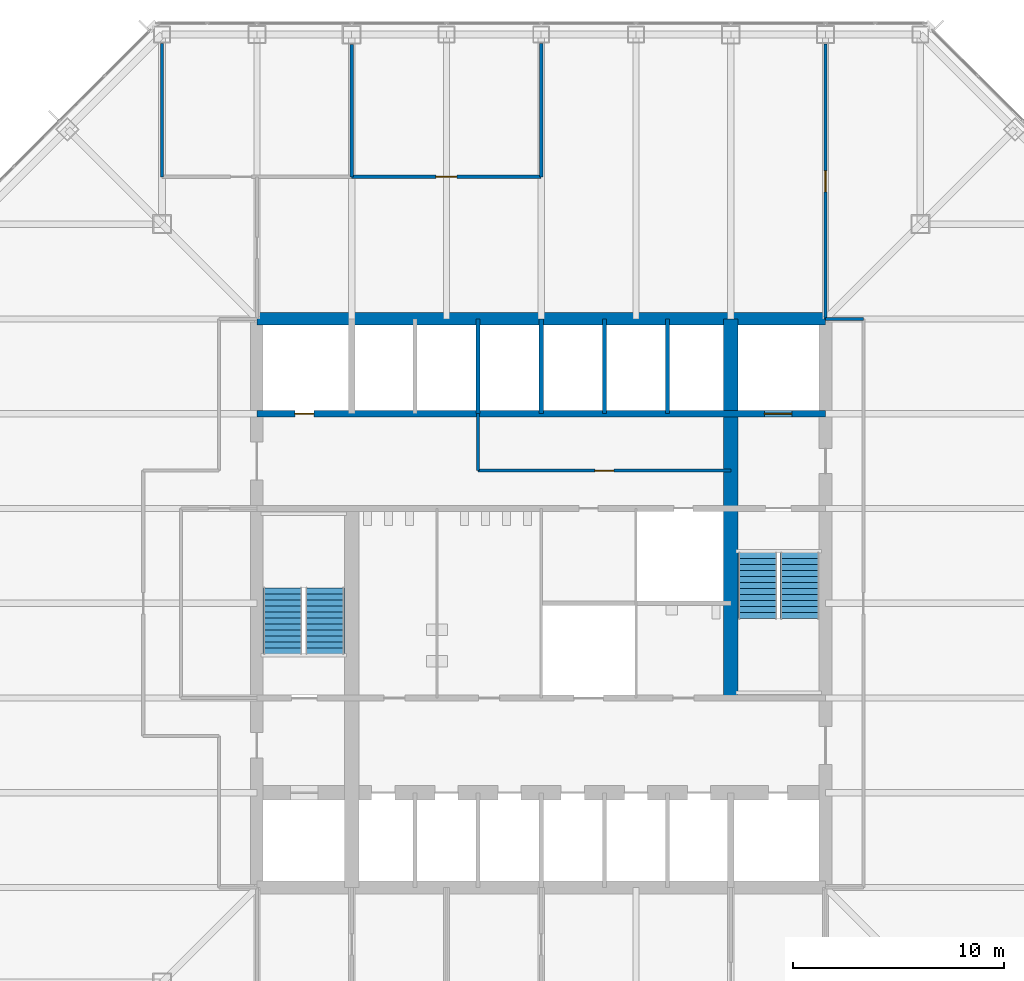
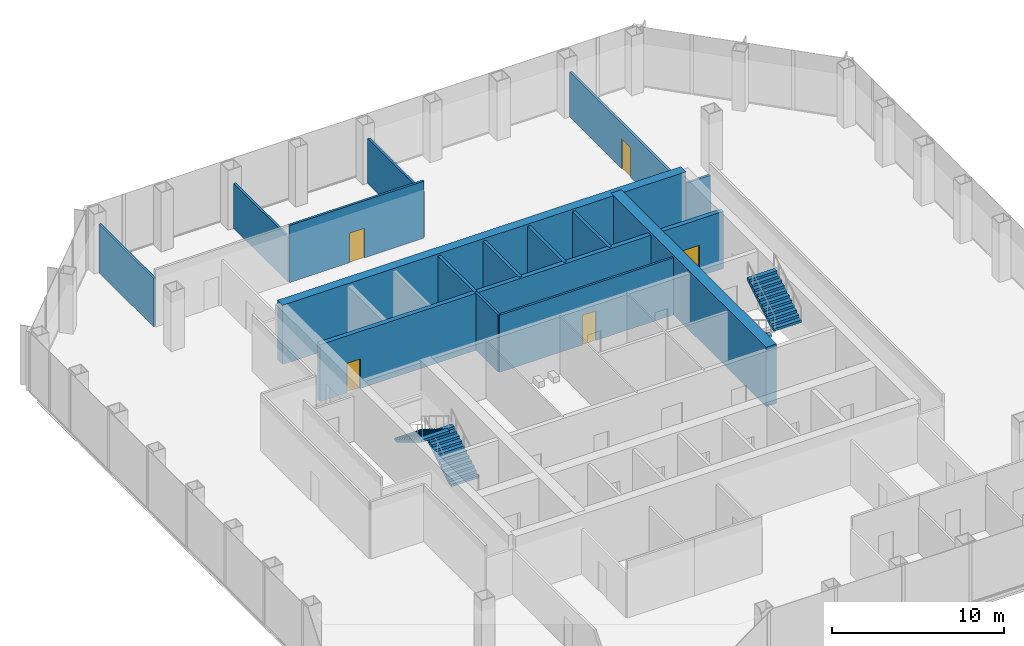
# One storey, part 10 of 12: 15 walls, 5 doors, 4 stair flights, 5 openings, 2 elements without a shape of their own.
"""IFC4 building model written with IfcOpenShell, lengths in metres."""

from ifc_helpers import new_model, si_unit, direction, frame, frame_2d, origin, place, context, subcontext, project, spatial, polyline, rectangle, outline, extrude, material, layer, layer_set, type_object, element, fill, aggregate, save


model = new_model("IFC4")

# Units and contexts
model_context = context("Model", 3, precision=1e-05, world=origin(), true_north=direction((0.0, 1.0)))
body_context = subcontext(model_context, "Body", "Model", "MODEL_VIEW")
ifc_project = project(units=[si_unit("LENGTHUNIT", "METRE"), si_unit("AREAUNIT", "SQUARE_METRE"), si_unit("VOLUMEUNIT", "CUBIC_METRE"), si_unit("PLANEANGLEUNIT", "RADIAN"), si_unit("MASSUNIT", "GRAM", prefix="KILO")], contexts=[model_context])

# Site, building, storey
site_placement = place(None, origin())
site = spatial("IfcSite", under=ifc_project, at=site_placement, CompositionType="ELEMENT")
building_placement = place(site_placement, origin())
building = spatial("IfcBuilding", under=site, at=building_placement, Name="Corais Broadcast Tower", CompositionType="ELEMENT")
storey_placement = place(building_placement, frame((0.0, 0.0, 50.0)))
storey = spatial("IfcBuildingStorey", under=building, at=storey_placement, Name="L10", CompositionType="ELEMENT", Elevation=50.0)

# Walls
ifc_material_1 = material(Name="Concrete C50/60", Category="concrete")
ifc_layer_1 = layer(ifc_material_1, 0.699951171875)
ifc_layer_set_1 = layer_set([ifc_layer_1], Name="Concrete C50/60")
wall_type_1 = type_object("IfcWallType", Name="Core spine wall 700", PredefinedType="SHEAR", material=ifc_layer_set_1)
wall_1_placement = place(storey_placement, frame((36.0, 22.5, 0.0), z_axis=(0.0, 0.0, 1.0), x_axis=(0.0, 1.0, 0.0)))
element("IfcWall", 1, at=wall_1_placement, inside=storey, type_object=wall_type_1, Name="CR700 core wall X36B L10", PredefinedType="SHEAR", context=body_context, shape_type="SweptSolid", body=[
    extrude(rectangle(XDim=18.0, YDim=0.699951171875, at=frame_2d((9.0, 0.0))), origin(), (0.0, 0.0, 1.0), 4.199951171875),
])
ifc_material_2 = material(Name="Concrete C50/60", Category="concrete")
ifc_layer_2 = layer(ifc_material_2, 0.60009765625)
ifc_layer_set_2 = layer_set([ifc_layer_2], Name="Concrete C50/60")
wall_type_2 = type_object("IfcWallType", Name="Core wall 600", PredefinedType="SHEAR", material=ifc_layer_set_2)
wall_2_placement = place(storey_placement, frame((40.5, 40.5, 0.0), z_axis=(0.0, 0.0, 1.0), x_axis=(-1.0, 0.0, 0.0)))
element("IfcWall", 2, at=wall_2_placement, inside=storey, type_object=wall_type_2, Name="CR600 core wall N L10", PredefinedType="SHEAR", context=body_context, shape_type="SweptSolid", body=[
    extrude(rectangle(XDim=27.0, YDim=0.60009765625, at=frame_2d((13.5, 0.0))), origin(), (0.0, 0.0, 1.0), 4.199951171875),
])

# Wall, openings, doors
ifc_material_3 = material(Name="Concrete blockwork class A, grouted, four-hour", Category="masonry")
ifc_layer_3 = layer(ifc_material_3, 0.300048828125)
ifc_layer_set_3 = layer_set([ifc_layer_3], Name="Concrete blockwork class A, grouted, four-hour")
wall_type_3 = type_object("IfcWallType", Name="Emergency lift shaft wall 300", PredefinedType="SOLIDWALL", material=ifc_layer_set_3)
wall_3_placement = place(storey_placement, frame((13.5, 36.0, 0.0), z_axis=(0.0, 0.0, 1.0), x_axis=(1.0, 0.0, 0.0)))
wall_3 = element("IfcWall", 3, at=wall_3_placement, inside=storey, type_object=wall_type_3, Name="LS1 core lobby wall Y36 L10", PredefinedType="SOLIDWALL", context=body_context, shape_type="SweptSolid", body=[
    extrude(rectangle(XDim=27.0, YDim=0.300048828125, at=frame_2d((13.5, 0.0))), origin(), (0.0, 0.0, 1.0), 4.0400390625),
])
opening_1_placement = place(wall_3_placement, frame((1.800048828125, 0.0, 0.0)))
opening_1 = element("IfcOpeningElement", 4, at=opening_1_placement, cuts=wall_3, Name="Opening RD1", PredefinedType="OPENING", context=body_context, shape_type="SweptSolid", body=[
    extrude(rectangle(XDim=0.89990234375, YDim=2.10009765625, at=frame_2d((0.449951171875, 1.050048828125))), frame((0.0, 0.159912109375, 0.0), z_axis=(0.0, -1.0, 0.0), x_axis=(1.0, 0.0, 0.0)), (0.0, 0.0, 1.0), 0.320068359375),
])
opening_2_placement = place(wall_3_placement, frame((24.10009765625, 0.0, 0.0)))
opening_2 = element("IfcOpeningElement", 5, at=opening_2_placement, cuts=wall_3, Name="Opening LD2", PredefinedType="OPENING", context=body_context, shape_type="SweptSolid", body=[
    extrude(rectangle(XDim=1.300048828125, YDim=2.199951171875, at=frame_2d((0.64990234375, 1.10009765625))), frame((0.0, 0.159912109375, 0.0), z_axis=(0.0, -1.0, 0.0), x_axis=(1.0, 0.0, 0.0)), (0.0, 0.0, 1.0), 0.320068359375),
])
ifc_material_4 = material(Name="Stainless steel lift door", Category="steel")
door_type_1 = type_object("IfcDoorType", Name="Lift landing door 1300x2200", OperationType="SLIDING_TO_LEFT", PredefinedType="DOOR", material=ifc_material_4)
door_1_placement = place(opening_2_placement, origin())
door_1 = element("IfcDoor", 6, at=door_1_placement, inside=storey, type_object=door_type_1, Name="LD2 FL2 landing door L10", OperationType="SLIDING_TO_LEFT", OverallHeight=2.199951171875, OverallWidth=1.300048828125, PredefinedType="DOOR", context=body_context, shape_type="SweptSolid", body=[
    extrude(rectangle(XDim=1.300048828125, YDim=2.199951171875, at=frame_2d((0.64990234375, 1.10009765625))), frame((0.0, 0.02490234375, 0.0), z_axis=(0.0, -1.0, 0.0), x_axis=(1.0, 0.0, 0.0)), (0.0, 0.0, 1.0), 0.050048828125),
])
fill(opening_2, door_1)
ifc_material_5 = material(Name="Steel fire door", Category="steel")
door_type_2 = type_object("IfcDoorType", Name="Riser door 900x2100", OperationType="SINGLE_SWING_LEFT", PredefinedType="DOOR", material=ifc_material_5)
door_2_placement = place(opening_1_placement, origin())
door_2 = element("IfcDoor", 7, at=door_2_placement, inside=storey, type_object=door_type_2, Name="RD1 riser door L10", OperationType="SINGLE_SWING_LEFT", OverallHeight=2.10009765625, OverallWidth=0.89990234375, PredefinedType="DOOR", context=body_context, shape_type="SweptSolid", body=[
    extrude(rectangle(XDim=0.89990234375, YDim=2.10009765625, at=frame_2d((0.449951171875, 1.050048828125))), frame((0.0, 0.02490234375, 0.0), z_axis=(0.0, -1.0, 0.0), x_axis=(1.0, 0.0, 0.0)), (0.0, 0.0, 1.0), 0.050048828125),
])
fill(opening_1, door_2)

# Wall, opening, door
ifc_material_6 = material(Name="Two layers of fire-rated gypsum board each side on steel studs", Category="steel")
ifc_layer_4 = layer(ifc_material_6, 0.14990234375)
ifc_layer_set_4 = layer_set([ifc_layer_4], Name="Two layers of fire-rated gypsum board each side on steel studs")
wall_type_4 = type_object("IfcWallType", Name="Fire-rated partition 150 EI 60", PredefinedType="PARTITIONING", material=ifc_layer_set_4)
wall_4_placement = place(storey_placement, frame((24.0, 33.300048828125, 0.0), z_axis=(0.0, 0.0, 1.0), x_axis=(1.0, 0.0, 0.0)))
wall_4 = element("IfcWall", 8, at=wall_4_placement, inside=storey, type_object=wall_type_4, Name="IW7 partition L10", PredefinedType="PARTITIONING", context=body_context, shape_type="SweptSolid", body=[
    extrude(rectangle(XDim=12.0, YDim=0.14990234375, at=frame_2d((6.0, 0.0))), origin(), (0.0, 0.0, 1.0), 4.0400390625),
])
opening_3_placement = place(wall_4_placement, frame((5.550048828125, 0.0, 0.0)))
opening_3 = element("IfcOpeningElement", 9, at=opening_3_placement, cuts=wall_4, Name="Opening RD1", PredefinedType="OPENING", context=body_context, shape_type="SweptSolid", body=[
    extrude(rectangle(XDim=0.89990234375, YDim=2.10009765625, at=frame_2d((0.449951171875, 1.050048828125))), frame((0.0, 0.0849609375, 0.0), z_axis=(0.0, -1.0, 0.0), x_axis=(1.0, 0.0, 0.0)), (0.0, 0.0, 1.0), 0.169921875),
])
door_3_placement = place(opening_3_placement, origin())
door_3 = element("IfcDoor", 10, at=door_3_placement, inside=storey, type_object=door_type_2, Name="RD1 wellness room door L10", OperationType="SINGLE_SWING_LEFT", OverallHeight=2.10009765625, OverallWidth=0.89990234375, PredefinedType="DOOR", context=body_context, shape_type="SweptSolid", body=[
    extrude(rectangle(XDim=0.89990234375, YDim=2.10009765625, at=frame_2d((0.449951171875, 1.050048828125))), frame((0.0, 0.02490234375, 0.0), z_axis=(0.0, -1.0, 0.0), x_axis=(1.0, 0.0, 0.0)), (0.0, 0.0, 1.0), 0.050048828125),
])
fill(opening_3, door_3)

# Walls
wall_5_placement = place(storey_placement, frame((24.0, 33.300048828125, 0.0), z_axis=(0.0, 0.0, 1.0), x_axis=(0.0, 1.0, 0.0)))
element("IfcWall", 11, at=wall_5_placement, inside=storey, type_object=wall_type_4, Name="IW7 partition L10", PredefinedType="PARTITIONING", context=body_context, shape_type="SweptSolid", body=[
    extrude(rectangle(XDim=2.699951171875, YDim=0.14990234375, at=frame_2d((1.35009765625, 0.0))), origin(), (0.0, 0.0, 1.0), 4.0400390625),
])
ifc_material_7 = material(Name="Gypsum board on steel studs", Category="steel")
ifc_layer_5 = layer(ifc_material_7, 0.14990234375)
ifc_layer_set_5 = layer_set([ifc_layer_5], Name="Gypsum board on steel studs")
wall_type_5 = type_object("IfcWallType", Name="Partition 150", PredefinedType="PARTITIONING", material=ifc_layer_set_5)
wall_6_placement = place(storey_placement, frame((42.300048828125, 40.5, 0.0), z_axis=(0.0, 0.0, 1.0), x_axis=(-1.0, 0.0, 0.0)))
element("IfcWall", 12, at=wall_6_placement, inside=storey, type_object=wall_type_5, Name="IW3 corridor wall L10", PredefinedType="PARTITIONING", context=body_context, shape_type="SweptSolid", body=[
    extrude(rectangle(XDim=1.81005859375, YDim=0.14990234375, at=frame_2d((0.905029296875, 0.0))), origin(), (0.0, 0.0, 1.0), 3.18896484375),
])
wall_7_placement = place(storey_placement, frame((18.0, 47.25, 0.0), z_axis=(0.0, 0.0, 1.0), x_axis=(0.0, 1.0, 0.0)))
element("IfcWall", 13, at=wall_7_placement, inside=storey, type_object=wall_type_5, Name="IW3 partition L10", PredefinedType="PARTITIONING", context=body_context, shape_type="SweptSolid", body=[
    extrude(rectangle(XDim=6.2900390625, YDim=0.14990234375, at=frame_2d((3.14501953125, 0.0))), origin(), (0.0, 0.0, 1.0), 3.18896484375),
])
wall_8_placement = place(storey_placement, frame((9.0, 53.590087890625, 0.0), z_axis=(0.0, 0.0, 1.0), x_axis=(0.0, -1.0, 0.0)))
element("IfcWall", 14, at=wall_8_placement, inside=storey, type_object=wall_type_5, Name="IW3 partition L10", PredefinedType="PARTITIONING", context=body_context, shape_type="SweptSolid", body=[
    extrude(rectangle(XDim=6.340087890625, YDim=0.14990234375, at=frame_2d((3.169921875, 0.0))), origin(), (0.0, 0.0, 1.0), 3.428955078125),
])

# Wall, opening, door
wall_9_placement = place(storey_placement, frame((18.0, 47.25, 0.0), z_axis=(0.0, 0.0, 1.0), x_axis=(1.0, 0.0, 0.0)))
wall_9 = element("IfcWall", 15, at=wall_9_placement, inside=storey, type_object=wall_type_5, Name="IW3 partition L10", PredefinedType="PARTITIONING", context=body_context, shape_type="SweptSolid", body=[
    extrude(rectangle(XDim=9.0, YDim=0.14990234375, at=frame_2d((4.5, 0.0))), origin(), (0.0, 0.0, 1.0), 4.0400390625),
])
opening_4_placement = place(wall_9_placement, frame((4.0, 0.0, 0.0)))
opening_4 = element("IfcOpeningElement", 16, at=opening_4_placement, cuts=wall_9, Name="Opening D1", PredefinedType="OPENING", context=body_context, shape_type="SweptSolid", body=[
    extrude(rectangle(XDim=1.0, YDim=2.10009765625, at=frame_2d((0.5, 1.050048828125))), frame((0.0, 0.0849609375, 0.0), z_axis=(0.0, -1.0, 0.0), x_axis=(1.0, 0.0, 0.0)), (0.0, 0.0, 1.0), 0.169921875),
])
ifc_material_8 = material(Name="Timber door", Category="wood")
door_type_3 = type_object("IfcDoorType", Name="Single door 1000x2100", OperationType="SINGLE_SWING_LEFT", PredefinedType="DOOR", material=ifc_material_8)
door_4_placement = place(opening_4_placement, origin())
door_4 = element("IfcDoor", 17, at=door_4_placement, inside=storey, type_object=door_type_3, Name="D1 Graphics room door", OperationType="SINGLE_SWING_LEFT", OverallHeight=2.10009765625, OverallWidth=1.0, PredefinedType="DOOR", context=body_context, shape_type="SweptSolid", body=[
    extrude(rectangle(XDim=1.0, YDim=2.10009765625, at=frame_2d((0.5, 1.050048828125))), frame((0.0, 0.02490234375, 0.0), z_axis=(0.0, -1.0, 0.0), x_axis=(1.0, 0.0, 0.0)), (0.0, 0.0, 1.0), 0.050048828125),
])
fill(opening_4, door_4)

# Wall
wall_10_placement = place(storey_placement, frame((27.0, 47.25, 0.0), z_axis=(0.0, 0.0, 1.0), x_axis=(0.0, 1.0, 0.0)))
element("IfcWall", 18, at=wall_10_placement, inside=storey, type_object=wall_type_5, Name="IW3 partition L10", PredefinedType="PARTITIONING", context=body_context, shape_type="SweptSolid", body=[
    extrude(rectangle(XDim=6.340087890625, YDim=0.14990234375, at=frame_2d((3.169921875, 0.0))), origin(), (0.0, 0.0, 1.0), 3.18896484375),
])

# Wall, opening, door
wall_11_placement = place(storey_placement, frame((40.5, 53.554931640625, 0.0), z_axis=(0.0, 0.0, 1.0), x_axis=(0.0, -1.0, 0.0)))
wall_11 = element("IfcWall", 19, at=wall_11_placement, inside=storey, type_object=wall_type_5, Name="IW3 partition L10", PredefinedType="PARTITIONING", context=body_context, shape_type="SweptSolid", body=[
    extrude(rectangle(XDim=13.054931640625, YDim=0.14990234375, at=frame_2d((6.52734375, 0.0))), origin(), (0.0, 0.0, 1.0), 3.18896484375),
])
opening_5_placement = place(wall_11_placement, frame((6.027587890625, 0.0, 0.0)))
opening_5 = element("IfcOpeningElement", 20, at=opening_5_placement, cuts=wall_11, Name="Opening D1", PredefinedType="OPENING", context=body_context, shape_type="SweptSolid", body=[
    extrude(rectangle(XDim=1.0, YDim=2.10009765625, at=frame_2d((0.5, 1.050048828125))), frame((0.0, 0.0849609375, 0.0), z_axis=(0.0, -1.0, 0.0), x_axis=(1.0, 0.0, 0.0)), (0.0, 0.0, 1.0), 0.169921875),
])
door_5_placement = place(opening_5_placement, origin())
door_5 = element("IfcDoor", 21, at=door_5_placement, inside=storey, type_object=door_type_3, Name="D1 team room door L10", OperationType="SINGLE_SWING_LEFT", OverallHeight=2.10009765625, OverallWidth=1.0, PredefinedType="DOOR", context=body_context, shape_type="SweptSolid", body=[
    extrude(rectangle(XDim=1.0, YDim=2.10009765625, at=frame_2d((0.5, 1.050048828125))), frame((0.0, 0.02490234375, 0.0), z_axis=(0.0, -1.0, 0.0), x_axis=(1.0, 0.0, 0.0)), (0.0, 0.0, 1.0), 0.050048828125),
])
fill(opening_5, door_5)

# Walls
ifc_material_9 = material(Name="Concrete blockwork class A, grouted, two-hour", Category="masonry")
ifc_layer_6 = layer(ifc_material_9, 0.199951171875)
ifc_layer_set_6 = layer_set([ifc_layer_6], Name="Concrete blockwork class A, grouted, two-hour")
wall_type_6 = type_object("IfcWallType", Name="Shaft wall 200", PredefinedType="PARTITIONING", material=ifc_layer_set_6)
for number, where, z_axis, x_axis, name in (
    (22, (24.0, 36.0, 0.0), (0.0, 0.0, 1.0), (0.0, 1.0, 0.0), "IW1 shaft wall L10"),
    (23, (27.0, 36.0, 0.0), (0.0, 0.0, 1.0), (0.0, 1.0, 0.0), "IW1 shaft wall L10"),
    (24, (30.0, 36.0, 0.0), (0.0, 0.0, 1.0), (0.0, 1.0, 0.0), "IW1 shaft wall L10"),
    (25, (33.0, 36.0, 0.0), (0.0, 0.0, 1.0), (0.0, 1.0, 0.0), "IW1 shaft wall L10"),
):
    element("IfcWall", number, at=place(storey_placement, frame(where, z_axis=z_axis, x_axis=x_axis)), inside=storey, type_object=wall_type_6, Name=name, PredefinedType="PARTITIONING", context=body_context, shape_type="SweptSolid", body=[
        extrude(rectangle(XDim=4.5, YDim=0.199951171875, at=frame_2d((2.25, 0.0))), origin(), (0.0, 0.0, 1.0), 4.0400390625),
    ])

# Stair, stair flights
ifc_material_10 = material(Name="Concrete C30/37", Category="concrete")
stair_type = type_object("IfcStairType", Name="Half-turn stair 4200", PredefinedType="HALF_TURN_STAIR", material=ifc_material_10)
stair_1_placement = place(storey_placement, origin())
stair_1 = element("IfcStair", 26, at=stair_1_placement, inside=storey, type_object=stair_type, Name="Stair A L10", PredefinedType="HALF_TURN_STAIR")
ifc_material_11 = material(Name="Concrete C30/37", Category="concrete")
stair_flight_type = type_object("IfcStairFlightType", Name="Stair flight 4200", PredefinedType="STRAIGHT", material=ifc_material_11)
stair_flight_1_placement = place(storey_placement, frame((16.72509765625, 24.60009765625, 0.0), z_axis=(0.0, 0.0, 1.0), x_axis=(0.0, 1.0, 0.0)))
stair_flight_1 = element("IfcStairFlight", 27, at=stair_flight_1_placement, type_object=stair_flight_type, Name="STA flight 1", NumberOfRisers=12, NumberOfTreads=11, PredefinedType="STRAIGHT", RiserHeight=0.175, TreadLength=0.285, context=body_context, shape_type="SweptSolid", body=[
    extrude(outline(polyline([(0.0, 0.0), (0.0, 0.175048828125), (0.284912109375, 0.175048828125), (0.284912109375, 0.35009765625), (0.570068359375, 0.35009765625), (0.570068359375, 0.52490234375), (0.85498046875, 0.52490234375), (0.85498046875, 0.699951171875), (1.139892578125, 0.699951171875), (1.139892578125, 0.875), (1.425048828125, 0.875), (1.425048828125, 1.050048828125), (1.7099609375, 1.050048828125), (1.7099609375, 1.22509765625), (1.9951171875, 1.22509765625), (1.9951171875, 1.39990234375), (2.280029296875, 1.39990234375), (2.280029296875, 1.574951171875), (2.56494140625, 1.574951171875), (2.56494140625, 1.75), (2.85009765625, 1.75), (2.85009765625, 1.925048828125), (3.135009765625, 1.925048828125), (3.135009765625, 2.10009765625), (3.135009765625, 1.7490234375), (0.286376953125, 0.0), (0.0, 0.0)])), frame((0.0, 0.925048828125, 0.0), z_axis=(0.0, -1.0, 0.0), x_axis=(1.0, 0.0, 0.0)), (0.0, 0.0, 1.0), 1.85009765625),
])
stair_flight_2_placement = place(storey_placement, frame((14.72509765625, 27.735107421875, 2.10009765625), z_axis=(0.0, 0.0, 1.0), x_axis=(0.0, -1.0, 0.0)))
stair_flight_2 = element("IfcStairFlight", 28, at=stair_flight_2_placement, type_object=stair_flight_type, Name="STA flight 2", NumberOfRisers=12, NumberOfTreads=11, PredefinedType="STRAIGHT", RiserHeight=0.175, TreadLength=0.285, context=body_context, shape_type="SweptSolid", body=[
    extrude(outline(polyline([(0.0, 0.0), (0.0, 0.175048828125), (0.284912109375, 0.175048828125), (0.284912109375, 0.35009765625), (0.570068359375, 0.35009765625), (0.570068359375, 0.52490234375), (0.85498046875, 0.52490234375), (0.85498046875, 0.699951171875), (1.139892578125, 0.699951171875), (1.139892578125, 0.875), (1.425048828125, 0.875), (1.425048828125, 1.050048828125), (1.7099609375, 1.050048828125), (1.7099609375, 1.22509765625), (1.9951171875, 1.22509765625), (1.9951171875, 1.39990234375), (2.280029296875, 1.39990234375), (2.280029296875, 1.574951171875), (2.56494140625, 1.574951171875), (2.56494140625, 1.75), (2.85009765625, 1.75), (2.85009765625, 1.925048828125), (3.135009765625, 1.925048828125), (3.135009765625, 2.10009765625), (3.135009765625, 1.7490234375), (0.286376953125, 0.0), (0.0, 0.0)])), frame((0.0, 0.925048828125, 0.0), z_axis=(0.0, -1.0, 0.0), x_axis=(1.0, 0.0, 0.0)), (0.0, 0.0, 1.0), 1.85009765625),
])
aggregate(stair_1, [stair_flight_1, stair_flight_2])

stair_2_placement = place(storey_placement, origin())
stair_2 = element("IfcStair", 29, at=stair_2_placement, inside=storey, type_object=stair_type, Name="Stair B L10", PredefinedType="HALF_TURN_STAIR")
stair_flight_3_placement = place(storey_placement, frame((37.27490234375, 29.39990234375, 0.0), z_axis=(0.0, 0.0, 1.0), x_axis=(0.0, -1.0, 0.0)))
stair_flight_3 = element("IfcStairFlight", 30, at=stair_flight_3_placement, type_object=stair_flight_type, Name="STB flight 1", NumberOfRisers=12, NumberOfTreads=11, PredefinedType="STRAIGHT", RiserHeight=0.175, TreadLength=0.285, context=body_context, shape_type="SweptSolid", body=[
    extrude(outline(polyline([(0.0, 0.0), (0.0, 0.175048828125), (0.284912109375, 0.175048828125), (0.284912109375, 0.35009765625), (0.570068359375, 0.35009765625), (0.570068359375, 0.52490234375), (0.85498046875, 0.52490234375), (0.85498046875, 0.699951171875), (1.139892578125, 0.699951171875), (1.139892578125, 0.875), (1.425048828125, 0.875), (1.425048828125, 1.050048828125), (1.7099609375, 1.050048828125), (1.7099609375, 1.22509765625), (1.9951171875, 1.22509765625), (1.9951171875, 1.39990234375), (2.280029296875, 1.39990234375), (2.280029296875, 1.574951171875), (2.56494140625, 1.574951171875), (2.56494140625, 1.75), (2.85009765625, 1.75), (2.85009765625, 1.925048828125), (3.135009765625, 1.925048828125), (3.135009765625, 2.10009765625), (3.135009765625, 1.7490234375), (0.286376953125, 0.0), (0.0, 0.0)])), frame((0.0, 0.925048828125, 0.0), z_axis=(0.0, -1.0, 0.0), x_axis=(1.0, 0.0, 0.0)), (0.0, 0.0, 1.0), 1.85009765625),
])
stair_flight_4_placement = place(storey_placement, frame((39.27490234375, 26.264892578125, 2.10009765625), z_axis=(0.0, 0.0, 1.0), x_axis=(0.0, 1.0, 0.0)))
stair_flight_4 = element("IfcStairFlight", 31, at=stair_flight_4_placement, type_object=stair_flight_type, Name="STB flight 2", NumberOfRisers=12, NumberOfTreads=11, PredefinedType="STRAIGHT", RiserHeight=0.175, TreadLength=0.285, context=body_context, shape_type="SweptSolid", body=[
    extrude(outline(polyline([(0.0, 0.0), (0.0, 0.175048828125), (0.284912109375, 0.175048828125), (0.284912109375, 0.35009765625), (0.570068359375, 0.35009765625), (0.570068359375, 0.52490234375), (0.85498046875, 0.52490234375), (0.85498046875, 0.699951171875), (1.139892578125, 0.699951171875), (1.139892578125, 0.875), (1.425048828125, 0.875), (1.425048828125, 1.050048828125), (1.7099609375, 1.050048828125), (1.7099609375, 1.22509765625), (1.9951171875, 1.22509765625), (1.9951171875, 1.39990234375), (2.280029296875, 1.39990234375), (2.280029296875, 1.574951171875), (2.56494140625, 1.574951171875), (2.56494140625, 1.75), (2.85009765625, 1.75), (2.85009765625, 1.925048828125), (3.135009765625, 1.925048828125), (3.135009765625, 2.10009765625), (3.135009765625, 1.7490234375), (0.286376953125, 0.0), (0.0, 0.0)])), frame((0.0, 0.925048828125, 0.0), z_axis=(0.0, -1.0, 0.0), x_axis=(1.0, 0.0, 0.0)), (0.0, 0.0, 1.0), 1.85009765625),
])
aggregate(stair_2, [stair_flight_3, stair_flight_4])

save(model, "model.ifc")
